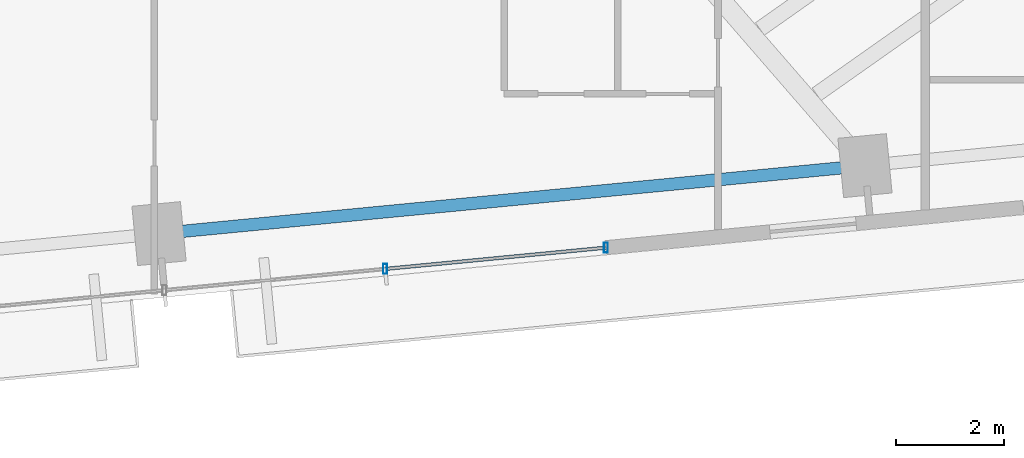
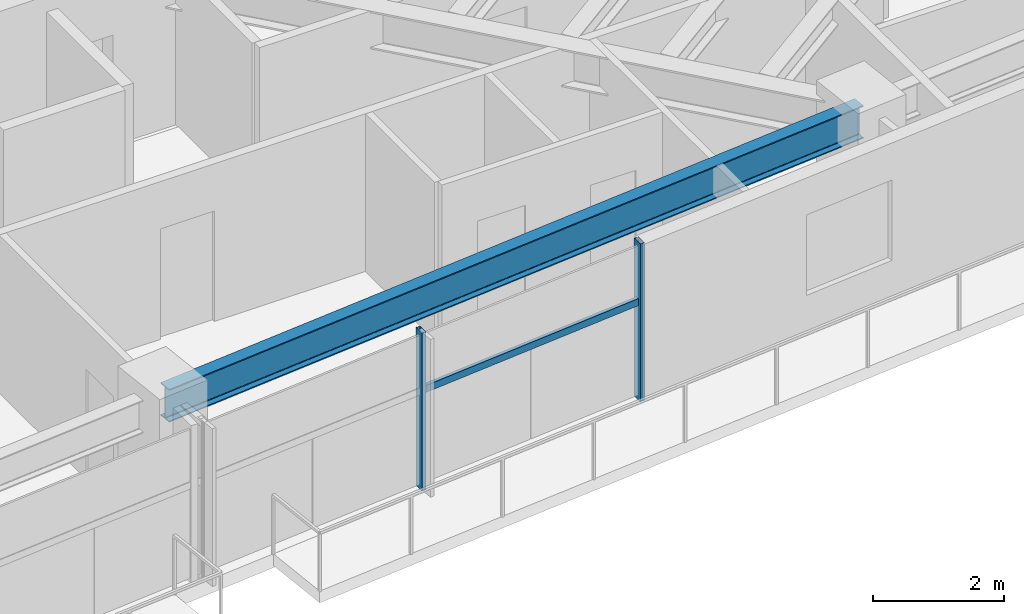
# One storey, part 12 of 25: 3 members, 1 beam, 1 element without a shape of its own.
"""IFC4 building model written with IfcOpenShell, lengths in metres."""

from ifc_helpers import new_model, si_unit, direction, frame, origin, origin_2d, place, context, subcontext, project, spatial, hollow_rectangle, i_section, extrude, source, transform, mapped, material, material_profile, profile_set, type_object, type_shapes, element, aggregate, save


model = new_model("IFC4")

# Units and contexts
model_context = context("Model", 3, precision=1e-05, world=origin(), true_north=direction((0.0, 1.0)))
body_context = subcontext(model_context, "Body", "Model", "MODEL_VIEW")
ifc_project = project(units=[si_unit("LENGTHUNIT", "METRE"), si_unit("AREAUNIT", "SQUARE_METRE"), si_unit("VOLUMEUNIT", "CUBIC_METRE"), si_unit("PLANEANGLEUNIT", "RADIAN"), si_unit("MASSUNIT", "GRAM", prefix="KILO")], contexts=[model_context])

# Site, building, storey
site_placement = place(None, origin())
site = spatial("IfcSite", under=ifc_project, at=site_placement, CompositionType="ELEMENT")
building_placement = place(site_placement, origin())
building = spatial("IfcBuilding", under=site, at=building_placement, Name="Astriad Promenade Condominiums", CompositionType="ELEMENT")
storey_placement = place(building_placement, frame((0.0, 0.0, 81.0)))
storey = spatial("IfcBuildingStorey", under=building, at=storey_placement, Name="L22", CompositionType="ELEMENT", Elevation=81.0)

# Beam
ifc_material_1 = material(Name="Steel ASTM A992 Grade 50", Category="steel")
ifc_material_profile_1 = material_profile(ifc_material_1, i_section(OverallWidth=0.22900390625, OverallDepth=0.612060546875, WebThickness=0.011962890625, FlangeThickness=0.01953125, FilletRadius=0.017822265625, at=origin_2d()), Name="W24X84")
ifc_profile_set_1 = profile_set([ifc_material_profile_1], Name="Steel ASTM A992 Grade 50")
beam_type = type_object("IfcBeamType", Name="STEEL SPANDREL BEAM W24X84", PredefinedType="SPANDREL", material=ifc_profile_set_1)
shared_shape_1 = source(origin(), body_context, "Body", "SweptSolid", [
    extrude(i_section(OverallWidth=0.22900390625, OverallDepth=0.612060546875, WebThickness=0.011962890625, FlangeThickness=0.01953125, FilletRadius=0.017822265625, at=origin_2d()), origin(), (0.0, 0.0, 1.0), 13.02001953125),
])
type_shapes(beam_type, [shared_shape_1])
beam_placement = place(storey_placement, frame((40.085205078125, 7.5244140625, 2.6337890625), z_axis=(0.995395138946, 0.095856754395, 0.0), x_axis=(-0.095856754395, 0.995395138946, 0.0)))
element("IfcBeam", 1, at=beam_placement, inside=storey, type_object=beam_type, Name="Perimeter Spandrel Beam SP-S3-L22", PredefinedType="SPANDREL", context=body_context, shape_type="MappedRepresentation", body=[
    mapped(shared_shape_1, transform((0.0, 0.0, 0.0), scale=1.0)),
])

# Curtain wall, members
ifc_material_2 = material(Name="Anodised aluminium Black Dark Glass Unitised", Category="aluminium")
curtain_wall_type = type_object("IfcCurtainWallType", Name="CW-B2-DARK", PredefinedType="USERDEFINED", material=ifc_material_2)
curtain_wall_placement = place(storey_placement, origin())
curtain_wall = element("IfcCurtainWall", 2, at=curtain_wall_placement, inside=storey, type_object=curtain_wall_type, Name="CW-L22-S", ObjectType="UNITISED_CURTAIN_WALL", PredefinedType="USERDEFINED")
ifc_material_3 = material(Name="Anodised aluminium 6063-T6 Black", Category="aluminium")
ifc_material_profile_2 = material_profile(ifc_material_3, hollow_rectangle(XDim=0.074951171875, YDim=0.18505859375, WallThickness=0.00439453125, at=origin_2d()), Name="ALU-MUL-75X185")
ifc_profile_set_2 = profile_set([ifc_material_profile_2], Name="Anodised aluminium 6063-T6 Black")
member_type_1 = type_object("IfcMemberType", Name="MUL-ALU-MUL-75X185", PredefinedType="MULLION", material=ifc_profile_set_2)
shared_shape_2 = source(origin(), body_context, "Body", "SweptSolid", [
    extrude(hollow_rectangle(XDim=0.074951171875, YDim=0.18505859375, WallThickness=0.00439453125, at=origin_2d()), origin(), (0.0, 0.0, 1.0), 2.93994140625),
])
type_shapes(member_type_1, [shared_shape_2])
member_1_placement = place(storey_placement, frame((48.29833984375, 7.260498046875, 0.0), z_axis=(0.0, 0.0, 1.0), x_axis=(1.0, 0.0, 0.0)))
member_1 = element("IfcMember", 3, at=member_1_placement, type_object=member_type_1, Name="CW-L22-S-MUL-00", PredefinedType="MULLION", context=body_context, shape_type="MappedRepresentation", body=[
    mapped(shared_shape_2, transform((0.0, 0.0, 0.0), scale=1.0)),
])
member_2_placement = place(storey_placement, frame((44.22216796875, 6.867919921875, 0.0), z_axis=(0.0, 0.0, 1.0), x_axis=(1.0, 0.0, 0.0)))
member_2 = element("IfcMember", 4, at=member_2_placement, type_object=member_type_1, Name="CW-L22-S-MUL-01", PredefinedType="MULLION", context=body_context, shape_type="MappedRepresentation", body=[
    mapped(shared_shape_2, transform((0.0, 0.0, 0.0), scale=1.0)),
])
ifc_material_profile_3 = material_profile(ifc_material_3, hollow_rectangle(XDim=0.06494140625, YDim=0.1298828125, WallThickness=0.00390625, at=origin_2d()), Name="ALU-TRN-65X130")
ifc_profile_set_3 = profile_set([ifc_material_profile_3], Name="Anodised aluminium 6063-T6 Black")
member_type_2 = type_object("IfcMemberType", Name="TRN-ALU-TRN-65X130", PredefinedType="USERDEFINED", material=ifc_profile_set_3)
shared_shape_3 = source(origin(), body_context, "Body", "SweptSolid", [
    extrude(hollow_rectangle(XDim=0.06494140625, YDim=0.1298828125, WallThickness=0.00390625, at=origin_2d()), origin(), (0.0, 0.0, 1.0), 4.094970703125),
])
type_shapes(member_type_2, [shared_shape_3])
member_3_placement = place(storey_placement, frame((48.29833984375, 7.260498046875, 1.82275390625), z_axis=(-0.995394161585, -0.09586690296, 0.0), x_axis=(0.09586690296, -0.995394161585, 0.0)))
member_3 = element("IfcMember", 5, at=member_3_placement, type_object=member_type_2, Name="CW-L22-S-TRN-00-0", ObjectType="TRANSOM", PredefinedType="USERDEFINED", context=body_context, shape_type="MappedRepresentation", body=[
    mapped(shared_shape_3, transform((0.0, 0.0, 0.0), scale=1.0)),
])
aggregate(curtain_wall, [member_1, member_2, member_3])

save(model, "model.ifc")
